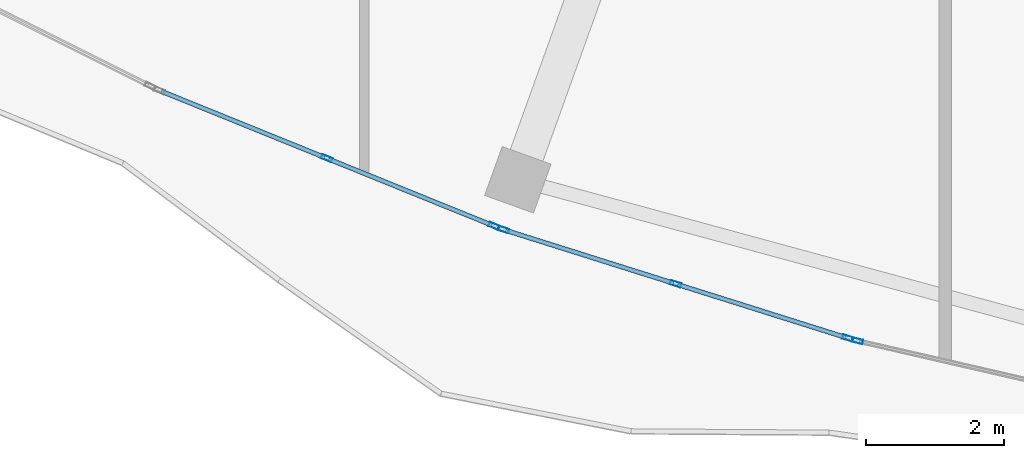
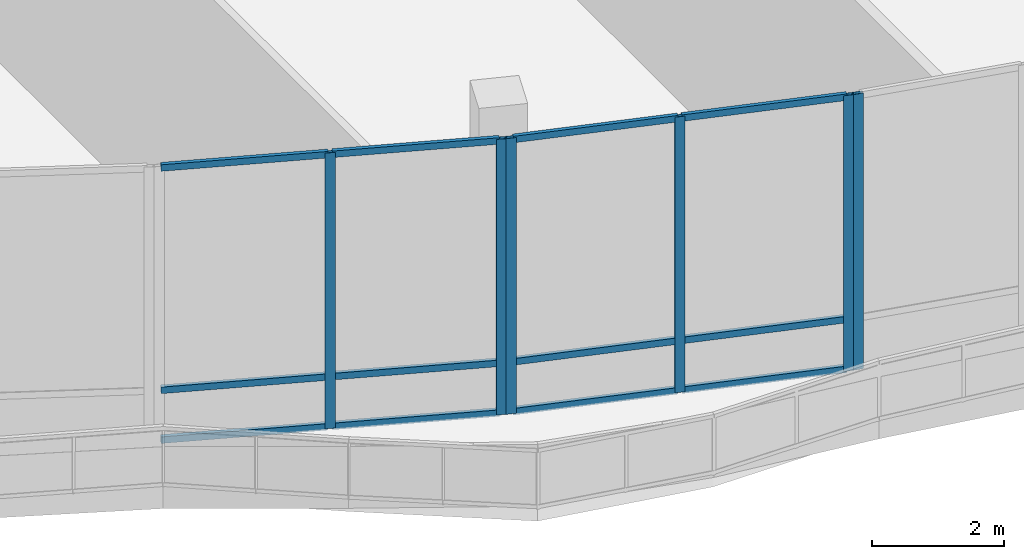
# One storey, part 16 of 158: 18 members, 3 elements without a shape of their own.
"""IFC4 building model written with IfcOpenShell, lengths in metres."""

from ifc_helpers import new_model, si_unit, direction, frame, origin, origin_2d, place, context, subcontext, project, spatial, hollow_rectangle, extrude, material, material_profile, profile_set, type_object, element, aggregate, save


model = new_model("IFC4")

# Units and contexts
model_context = context("Model", 3, precision=1e-05, world=origin(), true_north=direction((0.0, 1.0)))
body_context = subcontext(model_context, "Body", "Model", "MODEL_VIEW")
ifc_project = project(units=[si_unit("LENGTHUNIT", "METRE"), si_unit("AREAUNIT", "SQUARE_METRE"), si_unit("VOLUMEUNIT", "CUBIC_METRE"), si_unit("PLANEANGLEUNIT", "RADIAN"), si_unit("MASSUNIT", "GRAM", prefix="KILO")], contexts=[model_context])

# Site, building, storey
site_placement = place(None, origin())
site = spatial("IfcSite", under=ifc_project, at=site_placement, CompositionType="ELEMENT")
building_placement = place(site_placement, origin())
building = spatial("IfcBuilding", under=site, at=building_placement, Name="Selatvlak General Hospital", CompositionType="ELEMENT")
storey_placement = place(building_placement, origin())
storey = spatial("IfcBuildingStorey", under=building, at=storey_placement, Name="L00", CompositionType="ELEMENT", Elevation=0.0)

# Curtain wall, member
ifc_material_1 = material(Name="Solar-control Low-E double glazing", Category="glass")
curtain_wall_type_1 = type_object("IfcCurtainWallType", Name="CW-CW-01", PredefinedType="USERDEFINED", material=ifc_material_1)
curtain_wall_1_placement = place(storey_placement, origin())
curtain_wall_1 = element("IfcCurtainWall", 1, at=curtain_wall_1_placement, inside=storey, type_object=curtain_wall_type_1, Name="Glazed facade curtain wall CW-L00-0057", ObjectType="UNITISED CURTAIN WALL", PredefinedType="USERDEFINED")
ifc_material_2 = material(Name="Dark anodised aluminium mullion", Category="aluminium")
ifc_material_profile_1 = material_profile(ifc_material_2, hollow_rectangle(XDim=0.06494140625, YDim=0.159912109375, WallThickness=0.00390625, at=origin_2d()), Name="AL-MUL 65x160x4")
ifc_profile_set_1 = profile_set([ifc_material_profile_1], Name="Dark anodised aluminium mullion")
member_type_1 = type_object("IfcMemberType", Name="CWM-01", PredefinedType="MULLION", material=ifc_profile_set_1)
member_1_placement = place(storey_placement, frame((38.32958984375, 14.356689453125, 0.0), z_axis=(0.0, 0.0, 1.0), x_axis=(-0.224154879176, -0.974553533749, 0.0)))
member_1 = element("IfcMember", 2, at=member_1_placement, type_object=member_type_1, Name="CW-01 mullion 3", PredefinedType="MULLION", context=body_context, shape_type="SweptSolid", body=[
    extrude(hollow_rectangle(XDim=0.06494140625, YDim=0.159912109375, WallThickness=0.00390625, at=origin_2d()), origin(), (0.0, 0.0, 1.0), 5.080078125),
])
aggregate(curtain_wall_1, [member_1])

# Curtain wall, members
curtain_wall_type_2 = type_object("IfcCurtainWallType", Name="CW-CW-02", PredefinedType="USERDEFINED", material=ifc_material_1)
curtain_wall_2_placement = place(storey_placement, origin())
curtain_wall_2 = element("IfcCurtainWall", 3, at=curtain_wall_2_placement, inside=storey, type_object=curtain_wall_type_2, Name="Glazed facade curtain wall CW-L00-0058", ObjectType="UNITISED CURTAIN WALL", PredefinedType="USERDEFINED")
member_2_placement = place(storey_placement, frame((38.18994140625, 14.396728515625, 0.0), z_axis=(0.0, 0.0, 1.0), x_axis=(-0.30046120424, -0.953794036858, 0.0)))
member_2 = element("IfcMember", 4, at=member_2_placement, type_object=member_type_1, Name="CW-02 mullion 1", PredefinedType="MULLION", context=body_context, shape_type="SweptSolid", body=[
    extrude(hollow_rectangle(XDim=0.06494140625, YDim=0.159912109375, WallThickness=0.00390625, at=origin_2d()), origin(), (0.0, 0.0, 1.0), 5.080078125),
])
member_3_placement = place(storey_placement, frame((35.700439453125, 15.180908203125, 0.0), z_axis=(0.0, 0.0, 1.0), x_axis=(-0.30046120424, -0.953794036858, 0.0)))
member_3 = element("IfcMember", 5, at=member_3_placement, type_object=member_type_1, Name="CW-02 mullion 2", PredefinedType="MULLION", context=body_context, shape_type="SweptSolid", body=[
    extrude(hollow_rectangle(XDim=0.06494140625, YDim=0.159912109375, WallThickness=0.00390625, at=origin_2d()), origin(), (0.0, 0.0, 1.0), 5.080078125),
])
member_4_placement = place(storey_placement, frame((33.2109375, 15.96533203125, 0.0), z_axis=(0.0, 0.0, 1.0), x_axis=(-0.30046120424, -0.953794036858, 0.0)))
member_4 = element("IfcMember", 6, at=member_4_placement, type_object=member_type_1, Name="CW-02 mullion 3", PredefinedType="MULLION", context=body_context, shape_type="SweptSolid", body=[
    extrude(hollow_rectangle(XDim=0.06494140625, YDim=0.159912109375, WallThickness=0.00390625, at=origin_2d()), origin(), (0.0, 0.0, 1.0), 5.080078125),
])

curtain_wall_3_placement = place(storey_placement, origin())
curtain_wall_3 = element("IfcCurtainWall", 7, at=curtain_wall_3_placement, inside=storey, type_object=curtain_wall_type_1, Name="Glazed facade curtain wall CW-L00-0059", ObjectType="UNITISED CURTAIN WALL", PredefinedType="USERDEFINED")
member_5_placement = place(storey_placement, frame((33.075927734375, 16.01708984375, 0.0), z_axis=(0.0, 0.0, 1.0), x_axis=(-0.375301112069, -0.926902948145, 0.0)))
member_5 = element("IfcMember", 8, at=member_5_placement, type_object=member_type_1, Name="CW-01 mullion 1", PredefinedType="MULLION", context=body_context, shape_type="SweptSolid", body=[
    extrude(hollow_rectangle(XDim=0.06494140625, YDim=0.159912109375, WallThickness=0.00390625, at=origin_2d()), origin(), (0.0, 0.0, 1.0), 5.080078125),
])
member_6_placement = place(storey_placement, frame((30.656005859375, 16.9970703125, 0.0), z_axis=(0.0, 0.0, 1.0), x_axis=(-0.375301112069, -0.926902948145, 0.0)))
member_6 = element("IfcMember", 9, at=member_6_placement, type_object=member_type_1, Name="CW-01 mullion 2", PredefinedType="MULLION", context=body_context, shape_type="SweptSolid", body=[
    extrude(hollow_rectangle(XDim=0.06494140625, YDim=0.159912109375, WallThickness=0.00390625, at=origin_2d()), origin(), (0.0, 0.0, 1.0), 5.080078125),
])

# Member
ifc_material_profile_2 = material_profile(ifc_material_2, hollow_rectangle(XDim=0.06494140625, YDim=0.1201171875, WallThickness=0.00390625, at=origin_2d()), Name="AL-TRN 65x120x4")
ifc_profile_set_2 = profile_set([ifc_material_profile_2], Name="Dark anodised aluminium mullion")
member_type_2 = type_object("IfcMemberType", Name="CWT-01", PredefinedType="USERDEFINED", material=ifc_profile_set_2)
member_7_placement = place(storey_placement, frame((38.158935546875, 14.406494140625, 0.032470703125), z_axis=(-0.953799882709, 0.300442646349, 0.0), x_axis=(-0.300442646349, -0.953799882709, 0.0)))
member_7 = element("IfcMember", 10, at=member_7_placement, type_object=member_type_2, Name="CW-02 transom 1.1", ObjectType="TRANSOM", PredefinedType="USERDEFINED", context=body_context, shape_type="SweptSolid", body=[
    extrude(hollow_rectangle(XDim=0.06494140625, YDim=0.1201171875, WallThickness=0.00390625, at=origin_2d()), origin(), (0.0, 0.0, 1.0), 2.545166015625),
])

member_8_placement = place(storey_placement, frame((38.158935546875, 14.406494140625, 0.949951171875), z_axis=(-0.953799882709, 0.300442646349, 0.0), x_axis=(-0.300442646349, -0.953799882709, 0.0)))
member_8 = element("IfcMember", 11, at=member_8_placement, type_object=member_type_2, Name="CW-02 transom 1.2", ObjectType="TRANSOM", PredefinedType="USERDEFINED", context=body_context, shape_type="SweptSolid", body=[
    extrude(hollow_rectangle(XDim=0.06494140625, YDim=0.1201171875, WallThickness=0.00390625, at=origin_2d()), origin(), (0.0, 0.0, 1.0), 2.545166015625),
])

member_9_placement = place(storey_placement, frame((38.158935546875, 14.406494140625, 5.047607421875), z_axis=(-0.953799882709, 0.300442646349, 0.0), x_axis=(-0.300442646349, -0.953799882709, 0.0)))
member_9 = element("IfcMember", 12, at=member_9_placement, type_object=member_type_2, Name="CW-02 transom 1.3", ObjectType="TRANSOM", PredefinedType="USERDEFINED", context=body_context, shape_type="SweptSolid", body=[
    extrude(hollow_rectangle(XDim=0.06494140625, YDim=0.1201171875, WallThickness=0.00390625, at=origin_2d()), origin(), (0.0, 0.0, 1.0), 2.545166015625),
])

member_10_placement = place(storey_placement, frame((35.66943359375, 15.190673828125, 0.032470703125), z_axis=(-0.953772390526, 0.300529910441, 0.0), x_axis=(-0.300529910441, -0.953772390526, 0.0)))
member_10 = element("IfcMember", 13, at=member_10_placement, type_object=member_type_2, Name="CW-02 transom 2.1", ObjectType="TRANSOM", PredefinedType="USERDEFINED", context=body_context, shape_type="SweptSolid", body=[
    extrude(hollow_rectangle(XDim=0.06494140625, YDim=0.1201171875, WallThickness=0.00390625, at=origin_2d()), origin(), (0.0, 0.0, 1.0), 2.545166015625),
])

member_11_placement = place(storey_placement, frame((35.66943359375, 15.190673828125, 0.949951171875), z_axis=(-0.953772390526, 0.300529910441, 0.0), x_axis=(-0.300529910441, -0.953772390526, 0.0)))
member_11 = element("IfcMember", 14, at=member_11_placement, type_object=member_type_2, Name="CW-02 transom 2.2", ObjectType="TRANSOM", PredefinedType="USERDEFINED", context=body_context, shape_type="SweptSolid", body=[
    extrude(hollow_rectangle(XDim=0.06494140625, YDim=0.1201171875, WallThickness=0.00390625, at=origin_2d()), origin(), (0.0, 0.0, 1.0), 2.545166015625),
])

member_12_placement = place(storey_placement, frame((35.66943359375, 15.190673828125, 5.047607421875), z_axis=(-0.953772390526, 0.300529910441, 0.0), x_axis=(-0.300529910441, -0.953772390526, 0.0)))
member_12 = element("IfcMember", 15, at=member_12_placement, type_object=member_type_2, Name="CW-02 transom 2.3", ObjectType="TRANSOM", PredefinedType="USERDEFINED", context=body_context, shape_type="SweptSolid", body=[
    extrude(hollow_rectangle(XDim=0.06494140625, YDim=0.1201171875, WallThickness=0.00390625, at=origin_2d()), origin(), (0.0, 0.0, 1.0), 2.545166015625),
])

aggregate(curtain_wall_2, [member_2, member_3, member_4, member_7, member_8, member_9, member_10, member_11, member_12])

member_13_placement = place(storey_placement, frame((33.045654296875, 16.029296875, 0.032470703125), z_axis=(-0.926880887581, 0.375355591722, 0.0), x_axis=(-0.375355591722, -0.926880887581, 0.0)))
member_13 = element("IfcMember", 16, at=member_13_placement, type_object=member_type_2, Name="CW-01 transom 1.1", ObjectType="TRANSOM", PredefinedType="USERDEFINED", context=body_context, shape_type="SweptSolid", body=[
    extrude(hollow_rectangle(XDim=0.06494140625, YDim=0.1201171875, WallThickness=0.00390625, at=origin_2d()), origin(), (0.0, 0.0, 1.0), 2.545654296875),
])

member_14_placement = place(storey_placement, frame((33.045654296875, 16.029296875, 0.949951171875), z_axis=(-0.926880887581, 0.375355591722, 0.0), x_axis=(-0.375355591722, -0.926880887581, 0.0)))
member_14 = element("IfcMember", 17, at=member_14_placement, type_object=member_type_2, Name="CW-01 transom 1.2", ObjectType="TRANSOM", PredefinedType="USERDEFINED", context=body_context, shape_type="SweptSolid", body=[
    extrude(hollow_rectangle(XDim=0.06494140625, YDim=0.1201171875, WallThickness=0.00390625, at=origin_2d()), origin(), (0.0, 0.0, 1.0), 2.545654296875),
])

member_15_placement = place(storey_placement, frame((33.045654296875, 16.029296875, 5.047607421875), z_axis=(-0.926880887581, 0.375355591722, 0.0), x_axis=(-0.375355591722, -0.926880887581, 0.0)))
member_15 = element("IfcMember", 18, at=member_15_placement, type_object=member_type_2, Name="CW-01 transom 1.3", ObjectType="TRANSOM", PredefinedType="USERDEFINED", context=body_context, shape_type="SweptSolid", body=[
    extrude(hollow_rectangle(XDim=0.06494140625, YDim=0.1201171875, WallThickness=0.00390625, at=origin_2d()), origin(), (0.0, 0.0, 1.0), 2.545654296875),
])

member_16_placement = place(storey_placement, frame((30.6259765625, 17.00927734375, 0.032470703125), z_axis=(-0.926914249948, 0.375273198142, 0.0), x_axis=(-0.375273198142, -0.926914249948, 0.0)))
member_16 = element("IfcMember", 19, at=member_16_placement, type_object=member_type_2, Name="CW-01 transom 2.1", ObjectType="TRANSOM", PredefinedType="USERDEFINED", context=body_context, shape_type="SweptSolid", body=[
    extrude(hollow_rectangle(XDim=0.06494140625, YDim=0.1201171875, WallThickness=0.00390625, at=origin_2d()), origin(), (0.0, 0.0, 1.0), 2.545654296875),
])

member_17_placement = place(storey_placement, frame((30.6259765625, 17.00927734375, 0.949951171875), z_axis=(-0.926914249948, 0.375273198142, 0.0), x_axis=(-0.375273198142, -0.926914249948, 0.0)))
member_17 = element("IfcMember", 20, at=member_17_placement, type_object=member_type_2, Name="CW-01 transom 2.2", ObjectType="TRANSOM", PredefinedType="USERDEFINED", context=body_context, shape_type="SweptSolid", body=[
    extrude(hollow_rectangle(XDim=0.06494140625, YDim=0.1201171875, WallThickness=0.00390625, at=origin_2d()), origin(), (0.0, 0.0, 1.0), 2.545654296875),
])

member_18_placement = place(storey_placement, frame((30.6259765625, 17.00927734375, 5.047607421875), z_axis=(-0.926914249948, 0.375273198142, 0.0), x_axis=(-0.375273198142, -0.926914249948, 0.0)))
member_18 = element("IfcMember", 21, at=member_18_placement, type_object=member_type_2, Name="CW-01 transom 2.3", ObjectType="TRANSOM", PredefinedType="USERDEFINED", context=body_context, shape_type="SweptSolid", body=[
    extrude(hollow_rectangle(XDim=0.06494140625, YDim=0.1201171875, WallThickness=0.00390625, at=origin_2d()), origin(), (0.0, 0.0, 1.0), 2.545654296875),
])

aggregate(curtain_wall_3, [member_5, member_6, member_13, member_14, member_15, member_16, member_17, member_18])

save(model, "model.ifc")
